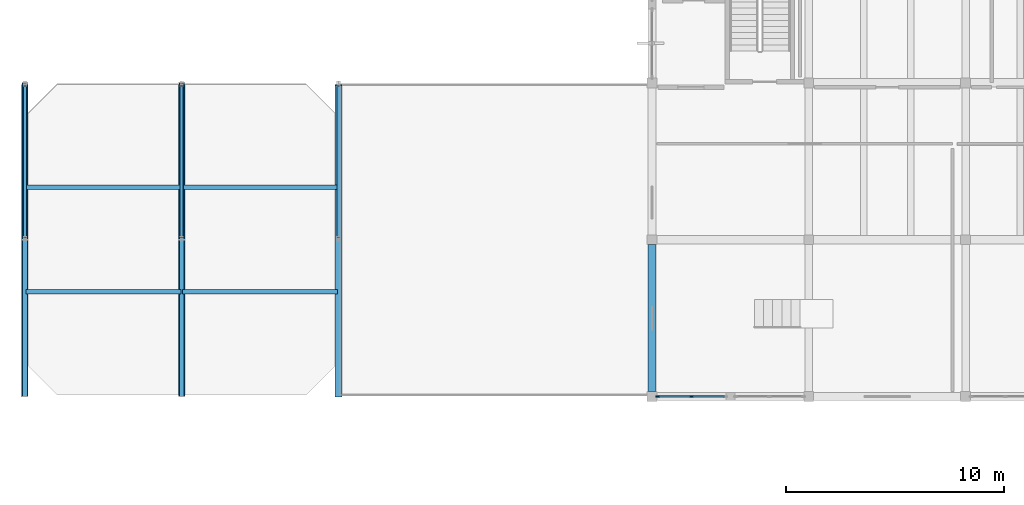
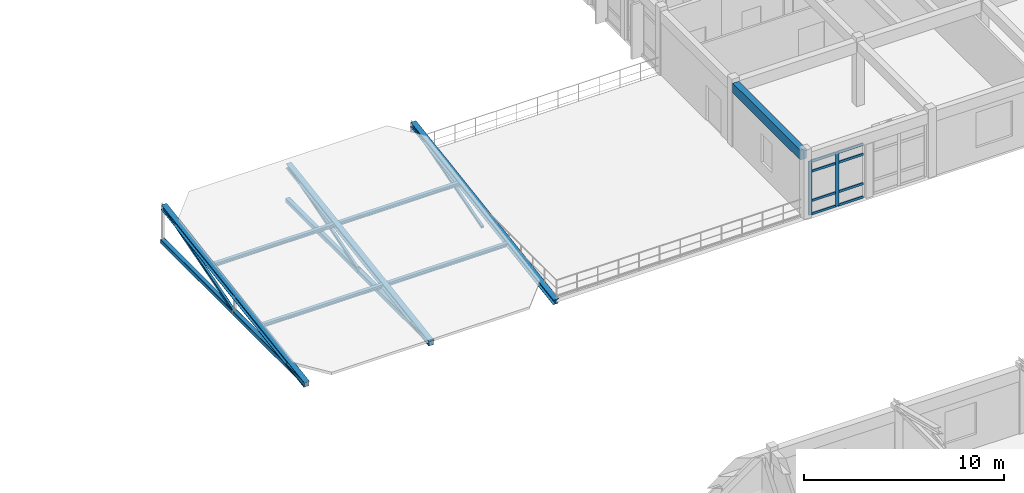
# One storey, part 12 of 136: 24 members, 1 beam, 1 element without a shape of its own.
"""IFC4 building model written with IfcOpenShell, lengths in metres."""

from ifc_helpers import new_model, si_unit, direction, frame, origin, origin_2d, place, context, subcontext, project, spatial, rectangle, hollow_rectangle, i_section, extrude, material, layer, layer_set, material_profile, profile_set, type_object, element, aggregate, save


model = new_model("IFC4")

# Units and contexts
model_context = context("Model", 3, precision=1e-05, world=origin(), true_north=direction((0.0, 1.0)))
body_context = subcontext(model_context, "Body", "Model", "MODEL_VIEW")
ifc_project = project(units=[si_unit("LENGTHUNIT", "METRE"), si_unit("AREAUNIT", "SQUARE_METRE"), si_unit("VOLUMEUNIT", "CUBIC_METRE"), si_unit("PLANEANGLEUNIT", "RADIAN"), si_unit("MASSUNIT", "GRAM", prefix="KILO")], contexts=[model_context])

# Site, building, storey
site_placement = place(None, origin())
site = spatial("IfcSite", under=ifc_project, at=site_placement, CompositionType="ELEMENT")
building_placement = place(site_placement, origin())
building = spatial("IfcBuilding", under=site, at=building_placement, Name="Koriwan Promenade Central Fire Station", CompositionType="ELEMENT")
storey_placement = place(building_placement, frame((0.0, 0.0, 5.39990234375)))
storey = spatial("IfcBuildingStorey", under=building, at=storey_placement, Name="L01", CompositionType="ELEMENT", Elevation=5.39990234375)

# Beam
ifc_material_1 = material(Name="Concrete C35/45", Category="concrete")
ifc_material_profile_1 = material_profile(ifc_material_1, rectangle(XDim=0.35009765625, YDim=0.60009765625, at=origin_2d()), Name="RC-BM-350x600")
ifc_profile_set_1 = profile_set([ifc_material_profile_1], Name="Concrete C35/45")
beam_type = type_object("IfcBeamType", Name="Beam_RC-BM-350x600", PredefinedType="BEAM", material=ifc_profile_set_1)
beam_placement = place(storey_placement, frame((28.800048828125, 43.425048828125, 3.650146484375), z_axis=(0.0, 1.0, 0.0), x_axis=(-1.0, 0.0, 0.0)))
element("IfcBeam", 1, at=beam_placement, inside=storey, type_object=beam_type, Name="V4 L01 girder Y-432", PredefinedType="BEAM", context=body_context, shape_type="SweptSolid", body=[
    extrude(rectangle(XDim=0.35009765625, YDim=0.60009765625, at=origin_2d()), origin(), (0.0, 0.0, 1.0), 6.75),
])

# Curtain wall, members
ifc_material_2 = material(Name="Aluminium EN AW-6063-T6 and low-E glazing", Category="aluminium")
ifc_layer = layer(ifc_material_2, 0.159912109375, Name="Aluminium EN AW-6063-T6 and low-E glazing")
ifc_layer_set = layer_set([ifc_layer], Name="Aluminium EN AW-6063-T6 and low-E glazing")
curtain_wall_type = type_object("IfcCurtainWallType", Name="CurtainWall_28_318x329", PredefinedType="USERDEFINED", material=ifc_layer_set)
curtain_wall_placement = place(storey_placement, origin())
curtain_wall = element("IfcCurtainWall", 2, at=curtain_wall_placement, inside=storey, type_object=curtain_wall_type, Name="V4 L01 unitised curtain wall 125", ObjectType="UNITISED CURTAIN WALL", PredefinedType="USERDEFINED")
ifc_material_3 = material(Name="Aluminium EN AW-6063-T6", Category="aluminium")
ifc_material_profile_2 = material_profile(ifc_material_3, rectangle(XDim=0.074951171875, YDim=0.179931640625, at=origin_2d()), Name="ALU-MUL-75x180")
ifc_profile_set_2 = profile_set([ifc_material_profile_2], Name="Aluminium EN AW-6063-T6")
member_type_1 = type_object("IfcMemberType", Name="CWMullion_ALU-MUL-75x180", PredefinedType="MULLION", material=ifc_profile_set_2)
member_1_placement = place(storey_placement, frame((29.0625, 43.199951171875, 0.0), z_axis=(0.0, 0.0, 1.0), x_axis=(0.0, 1.0, 0.0)))
member_1 = element("IfcMember", 3, at=member_1_placement, type_object=member_type_1, Name="CW-28 mullion 1", PredefinedType="MULLION", context=body_context, shape_type="SweptSolid", body=[
    extrude(rectangle(XDim=0.074951171875, YDim=0.179931640625, at=origin_2d()), origin(), (0.0, 0.0, 1.0), 3.2900390625),
])
member_2_placement = place(storey_placement, frame((30.612548828125, 43.199951171875, 0.0), z_axis=(0.0, 0.0, 1.0), x_axis=(0.0, 1.0, 0.0)))
member_2 = element("IfcMember", 4, at=member_2_placement, type_object=member_type_1, Name="CW-28 mullion 2", PredefinedType="MULLION", context=body_context, shape_type="SweptSolid", body=[
    extrude(rectangle(XDim=0.074951171875, YDim=0.179931640625, at=origin_2d()), origin(), (0.0, 0.0, 1.0), 3.2900390625),
])
ifc_material_profile_3 = material_profile(ifc_material_3, rectangle(XDim=0.074951171875, YDim=0.139892578125, at=origin_2d()), Name="ALU-TRN-75x140")
ifc_profile_set_3 = profile_set([ifc_material_profile_3], Name="Aluminium EN AW-6063-T6")
member_type_2 = type_object("IfcMemberType", Name="CWTransom_ALU-TRN-75x140", PredefinedType="USERDEFINED", material=ifc_profile_set_3)
member_3_placement = place(storey_placement, frame((29.10009765625, 43.199951171875, 0.03759765625), z_axis=(1.0, 0.0, 0.0), x_axis=(0.0, 1.0, 0.0)))
member_3 = element("IfcMember", 5, at=member_3_placement, type_object=member_type_2, Name="CW-28 transom 1.1", ObjectType="TRANSOM", PredefinedType="USERDEFINED", context=body_context, shape_type="SweptSolid", body=[
    extrude(rectangle(XDim=0.074951171875, YDim=0.139892578125, at=origin_2d()), origin(), (0.0, 0.0, 1.0), 1.474853515625),
])
member_4_placement = place(storey_placement, frame((29.10009765625, 43.199951171875, 0.85009765625), z_axis=(1.0, 0.0, 0.0), x_axis=(0.0, 1.0, 0.0)))
member_4 = element("IfcMember", 6, at=member_4_placement, type_object=member_type_2, Name="CW-28 transom 1.2", ObjectType="TRANSOM", PredefinedType="USERDEFINED", context=body_context, shape_type="SweptSolid", body=[
    extrude(rectangle(XDim=0.074951171875, YDim=0.139892578125, at=origin_2d()), origin(), (0.0, 0.0, 1.0), 1.474853515625),
])
member_5_placement = place(storey_placement, frame((29.10009765625, 43.199951171875, 2.64013671875), z_axis=(1.0, 0.0, 0.0), x_axis=(0.0, 1.0, 0.0)))
member_5 = element("IfcMember", 7, at=member_5_placement, type_object=member_type_2, Name="CW-28 transom 1.3", ObjectType="TRANSOM", PredefinedType="USERDEFINED", context=body_context, shape_type="SweptSolid", body=[
    extrude(rectangle(XDim=0.074951171875, YDim=0.139892578125, at=origin_2d()), origin(), (0.0, 0.0, 1.0), 1.474853515625),
])
member_6_placement = place(storey_placement, frame((29.10009765625, 43.199951171875, 3.252685546875), z_axis=(1.0, 0.0, 0.0), x_axis=(0.0, 1.0, 0.0)))
member_6 = element("IfcMember", 8, at=member_6_placement, type_object=member_type_2, Name="CW-28 transom 1.4", ObjectType="TRANSOM", PredefinedType="USERDEFINED", context=body_context, shape_type="SweptSolid", body=[
    extrude(rectangle(XDim=0.074951171875, YDim=0.139892578125, at=origin_2d()), origin(), (0.0, 0.0, 1.0), 1.474853515625),
])
member_7_placement = place(storey_placement, frame((30.64990234375, 43.199951171875, 0.03759765625), z_axis=(1.0, 0.0, 0.0), x_axis=(0.0, 1.0, 0.0)))
member_7 = element("IfcMember", 9, at=member_7_placement, type_object=member_type_2, Name="CW-28 transom 2.1", ObjectType="TRANSOM", PredefinedType="USERDEFINED", context=body_context, shape_type="SweptSolid", body=[
    extrude(rectangle(XDim=0.074951171875, YDim=0.139892578125, at=origin_2d()), origin(), (0.0, 0.0, 1.0), 1.47509765625),
])
member_8_placement = place(storey_placement, frame((30.64990234375, 43.199951171875, 0.85009765625), z_axis=(1.0, 0.0, 0.0), x_axis=(0.0, 1.0, 0.0)))
member_8 = element("IfcMember", 10, at=member_8_placement, type_object=member_type_2, Name="CW-28 transom 2.2", ObjectType="TRANSOM", PredefinedType="USERDEFINED", context=body_context, shape_type="SweptSolid", body=[
    extrude(rectangle(XDim=0.074951171875, YDim=0.139892578125, at=origin_2d()), origin(), (0.0, 0.0, 1.0), 1.47509765625),
])
member_9_placement = place(storey_placement, frame((30.64990234375, 43.199951171875, 2.64013671875), z_axis=(1.0, 0.0, 0.0), x_axis=(0.0, 1.0, 0.0)))
member_9 = element("IfcMember", 11, at=member_9_placement, type_object=member_type_2, Name="CW-28 transom 2.3", ObjectType="TRANSOM", PredefinedType="USERDEFINED", context=body_context, shape_type="SweptSolid", body=[
    extrude(rectangle(XDim=0.074951171875, YDim=0.139892578125, at=origin_2d()), origin(), (0.0, 0.0, 1.0), 1.47509765625),
])
member_10_placement = place(storey_placement, frame((30.64990234375, 43.199951171875, 3.252685546875), z_axis=(1.0, 0.0, 0.0), x_axis=(0.0, 1.0, 0.0)))
member_10 = element("IfcMember", 12, at=member_10_placement, type_object=member_type_2, Name="CW-28 transom 2.4", ObjectType="TRANSOM", PredefinedType="USERDEFINED", context=body_context, shape_type="SweptSolid", body=[
    extrude(rectangle(XDim=0.074951171875, YDim=0.139892578125, at=origin_2d()), origin(), (0.0, 0.0, 1.0), 1.47509765625),
])
aggregate(curtain_wall, [member_1, member_2, member_3, member_4, member_5, member_6, member_7, member_8, member_9, member_10])

# Members
ifc_material_4 = material(Name="Steel ASTM A500 Grade C", Category="steel")
ifc_material_profile_4 = material_profile(ifc_material_4, hollow_rectangle(XDim=0.25, YDim=0.25, WallThickness=0.011962890625, InnerFilletRadius=0.011962890625, OuterFilletRadius=0.02392578125, at=origin_2d()), Name="HSS250x250x12")
ifc_profile_set_4 = profile_set([ifc_material_profile_4], Name="Steel ASTM A500 Grade C")
member_type_3 = type_object("IfcMemberType", Name="Member_CHORD_HSS250x250x12", PredefinedType="CHORD", material=ifc_profile_set_4)
member_11_placement = place(storey_placement, frame((0.0, 43.199951171875, -0.14990234375), z_axis=(0.0, 1.0, 0.0), x_axis=(-1.0, 0.0, 0.0)))
element("IfcMember", 13, at=member_11_placement, inside=storey, type_object=member_type_3, Name="V4 west pavilion truss 1 south bottom chord", PredefinedType="CHORD", context=body_context, shape_type="SweptSolid", body=[
    extrude(hollow_rectangle(XDim=0.25, YDim=0.25, WallThickness=0.011962890625, InnerFilletRadius=0.011962890625, OuterFilletRadius=0.02392578125, at=origin_2d()), origin(), (0.0, 0.0, 1.0), 7.199951171875),
])
member_12_placement = place(storey_placement, frame((0.0, 50.39990234375, -0.14990234375), z_axis=(0.0, 1.0, 0.0), x_axis=(-1.0, 0.0, 0.0)))
element("IfcMember", 14, at=member_12_placement, inside=storey, type_object=member_type_3, Name="V4 west pavilion truss 1 north bottom chord", PredefinedType="CHORD", context=body_context, shape_type="SweptSolid", body=[
    extrude(hollow_rectangle(XDim=0.25, YDim=0.25, WallThickness=0.011962890625, InnerFilletRadius=0.011962890625, OuterFilletRadius=0.02392578125, at=origin_2d()), origin(), (0.0, 0.0, 1.0), 7.2001953125),
])
member_13_placement = place(storey_placement, frame((7.199951171875, 43.199951171875, -0.14990234375), z_axis=(0.0, 1.0, 0.0), x_axis=(-1.0, 0.0, 0.0)))
element("IfcMember", 15, at=member_13_placement, inside=storey, type_object=member_type_3, Name="V4 west pavilion truss 2 south bottom chord", PredefinedType="CHORD", context=body_context, shape_type="SweptSolid", body=[
    extrude(hollow_rectangle(XDim=0.25, YDim=0.25, WallThickness=0.011962890625, InnerFilletRadius=0.011962890625, OuterFilletRadius=0.02392578125, at=origin_2d()), origin(), (0.0, 0.0, 1.0), 7.199951171875),
])
member_14_placement = place(storey_placement, frame((7.199951171875, 50.39990234375, -0.14990234375), z_axis=(0.0, 1.0, 0.0), x_axis=(-1.0, 0.0, 0.0)))
element("IfcMember", 16, at=member_14_placement, inside=storey, type_object=member_type_3, Name="V4 west pavilion truss 2 north bottom chord", PredefinedType="CHORD", context=body_context, shape_type="SweptSolid", body=[
    extrude(hollow_rectangle(XDim=0.25, YDim=0.25, WallThickness=0.011962890625, InnerFilletRadius=0.011962890625, OuterFilletRadius=0.02392578125, at=origin_2d()), origin(), (0.0, 0.0, 1.0), 7.2001953125),
])
ifc_material_5 = material(Name="Steel ASTM A992 Grade 50", Category="steel")
ifc_material_profile_5 = material_profile(ifc_material_5, i_section(OverallWidth=0.304931640625, OverallDepth=0.30810546875, WebThickness=0.010009765625, FlangeThickness=0.015380859375, FilletRadius=0.014892578125, at=origin_2d()), Name="W310x97")
ifc_profile_set_5 = profile_set([ifc_material_profile_5], Name="Steel ASTM A992 Grade 50")
member_type_4 = type_object("IfcMemberType", Name="Member_CHORD_W310x97", PredefinedType="CHORD", material=ifc_profile_set_5)
for number, where, z_axis, x_axis, name in (
    (17, (0.0, 43.199951171875, -0.179931640625), (0.0, 0.988372282876, 0.152053380243), (-1.0, 0.0, 0.0), "V4 west entrance pavilion sloped rafter 1"),
    (18, (7.199951171875, 43.199951171875, -0.179931640625), (0.0, 0.988372282876, 0.152053380243), (-1.0, 0.0, 0.0), "V4 west entrance pavilion sloped rafter 2"),
    (19, (14.39990234375, 43.199951171875, -0.179931640625), (0.0, 0.988372282876, 0.152053380243), (-1.0, 0.0, 0.0), "V4 west entrance pavilion sloped rafter 3"),
):
    element("IfcMember", number, at=place(storey_placement, frame(where, z_axis=z_axis, x_axis=x_axis)), inside=storey, type_object=member_type_4, Name=name, PredefinedType="CHORD", context=body_context, shape_type="SweptSolid", body=[
        extrude(i_section(OverallWidth=0.304931640625, OverallDepth=0.30810546875, WebThickness=0.010009765625, FlangeThickness=0.015380859375, FilletRadius=0.014892578125, at=origin_2d()), origin(), (0.0, 0.0, 1.0), 14.46826171875),
    ])
ifc_material_profile_6 = material_profile(ifc_material_5, i_section(OverallWidth=0.202880859375, OverallDepth=0.202880859375, WebThickness=0.007080078125, FlangeThickness=0.010986328125, FilletRadius=0.010009765625, at=origin_2d()), Name="W200x46")
ifc_profile_set_6 = profile_set([ifc_material_profile_6], Name="Steel ASTM A992 Grade 50")
member_type_5 = type_object("IfcMemberType", Name="Member_PURLIN_W200x46", PredefinedType="PURLIN", material=ifc_profile_set_6)
for number, where, z_axis, x_axis, name in (
    (20, (0.0400390625, 48.0, 0.460205078125), (1.0, 0.0, 0.0), (0.0, 1.0, 0.0), "V4 west entrance roof purlin 1-1"),
    (21, (0.0400390625, 52.800048828125, 1.260009765625), (1.0, 0.0, 0.0), (0.0, 1.0, 0.0), "V4 west entrance roof purlin 1-2"),
):
    element("IfcMember", number, at=place(storey_placement, frame(where, z_axis=z_axis, x_axis=x_axis)), inside=storey, type_object=member_type_5, Name=name, PredefinedType="PURLIN", context=body_context, shape_type="SweptSolid", body=[
        extrude(i_section(OverallWidth=0.202880859375, OverallDepth=0.202880859375, WebThickness=0.007080078125, FlangeThickness=0.010986328125, FilletRadius=0.010009765625, at=origin_2d()), origin(), (0.0, 0.0, 1.0), 7.119873046875),
    ])
for number, where, z_axis, x_axis, name in (
    (22, (7.239990234375, 48.0, 0.460205078125), (1.0, 0.0, 0.0), (0.0, 1.0, 0.0), "V4 west entrance roof purlin 2-1"),
    (23, (7.239990234375, 52.800048828125, 1.260009765625), (1.0, 0.0, 0.0), (0.0, 1.0, 0.0), "V4 west entrance roof purlin 2-2"),
):
    element("IfcMember", number, at=place(storey_placement, frame(where, z_axis=z_axis, x_axis=x_axis)), inside=storey, type_object=member_type_5, Name=name, PredefinedType="PURLIN", context=body_context, shape_type="SweptSolid", body=[
        extrude(i_section(OverallWidth=0.202880859375, OverallDepth=0.202880859375, WebThickness=0.007080078125, FlangeThickness=0.010986328125, FilletRadius=0.010009765625, at=origin_2d()), origin(), (0.0, 0.0, 1.0), 7.1201171875),
    ])
ifc_material_profile_7 = material_profile(ifc_material_4, hollow_rectangle(XDim=0.14990234375, YDim=0.14990234375, WallThickness=0.008056640625, InnerFilletRadius=0.008056640625, OuterFilletRadius=0.01611328125, at=origin_2d()), Name="HSS150x150x8")
ifc_profile_set_7 = profile_set([ifc_material_profile_7], Name="Steel ASTM A500 Grade C")
member_type_6 = type_object("IfcMemberType", Name="Member_STRUT_HSS150x150x8", PredefinedType="STRUT", material=ifc_profile_set_7)
for number, where, z_axis, x_axis, name in (
    (24, (0.0, 50.550048828125, -0.079833984375), (0.0, 0.958963626349, 0.283529122559), (-1.0, 0.0, 0.0), "V4 west pavilion truss 1 web diagonal"),
    (25, (7.199951171875, 50.550048828125, -0.079833984375), (0.0, 0.958963626349, 0.283529122559), (-1.0, 0.0, 0.0), "V4 west pavilion truss 2 web diagonal"),
    (26, (14.39990234375, 50.550048828125, -0.079833984375), (0.0, 0.958963626349, 0.283529122559), (-1.0, 0.0, 0.0), "V4 west pavilion truss 3 web diagonal"),
):
    element("IfcMember", number, at=place(storey_placement, frame(where, z_axis=z_axis, x_axis=x_axis)), inside=storey, type_object=member_type_6, Name=name, PredefinedType="STRUT", context=body_context, shape_type="SweptSolid", body=[
        extrude(hollow_rectangle(XDim=0.14990234375, YDim=0.14990234375, WallThickness=0.008056640625, InnerFilletRadius=0.008056640625, OuterFilletRadius=0.01611328125, at=origin_2d()), origin(), (0.0, 0.0, 1.0), 7.195068359375),
    ])

save(model, "model.ifc")
